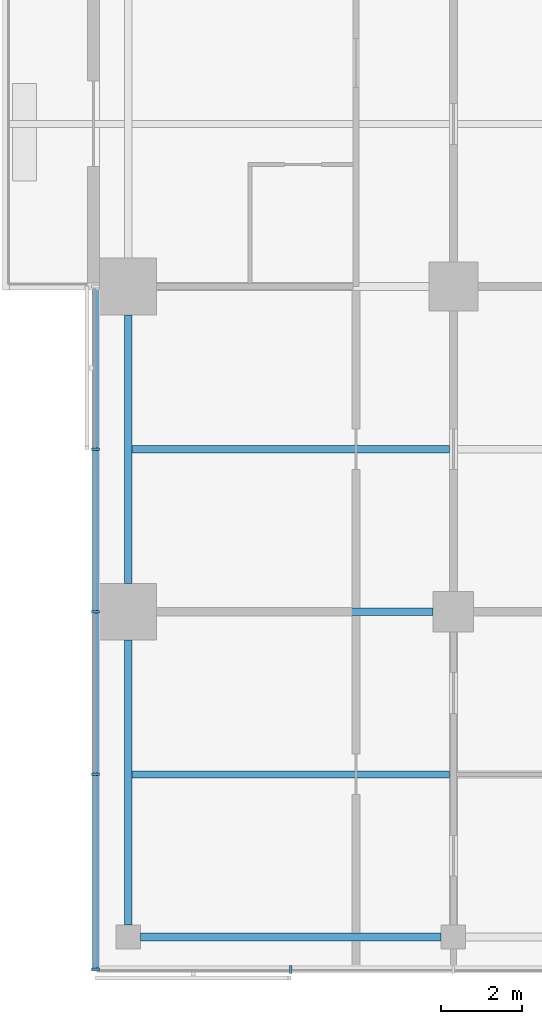
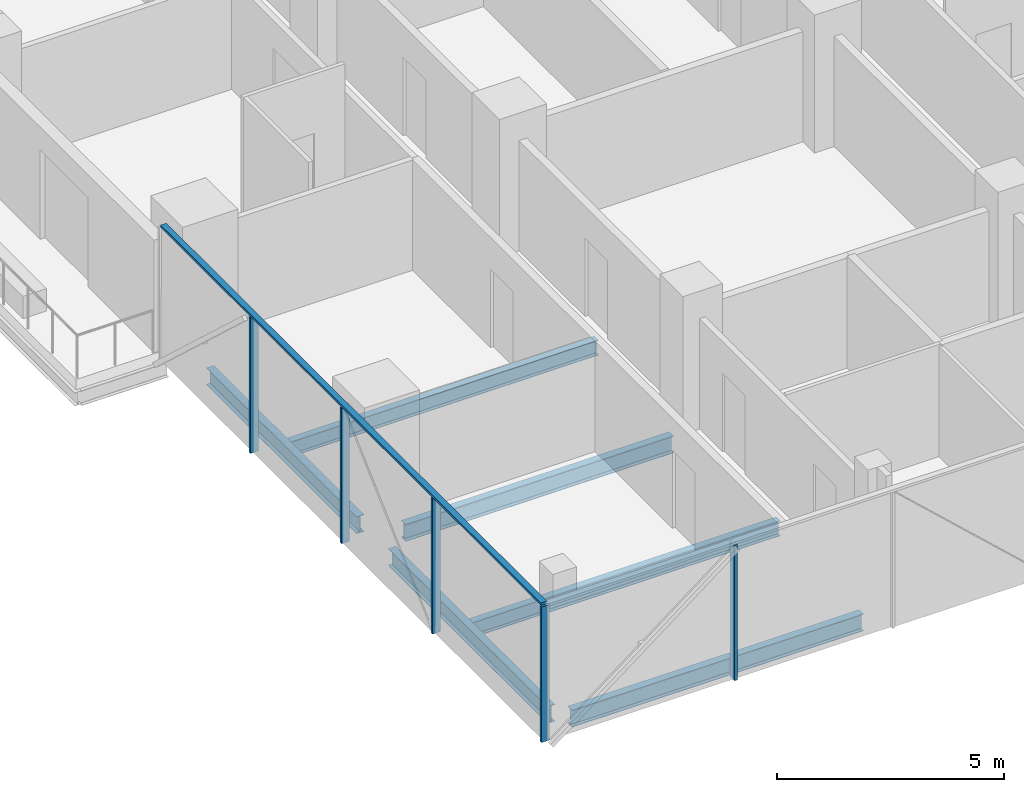
# One storey, part 2 of 27: 6 beams, 6 members, 2 elements without a shape of their own.
"""IFC4 building model written with IfcOpenShell, lengths in metres."""

from ifc_helpers import new_model, si_unit, direction, frame, origin, origin_2d, place, context, subcontext, project, spatial, rectangle, i_section, extrude, material, material_profile, profile_set, type_object, element, aggregate, save


model = new_model("IFC4")

# Units and contexts
model_context = context("Model", 3, precision=1e-05, world=origin(), true_north=direction((0.0, 1.0)))
body_context = subcontext(model_context, "Body", "Model", "MODEL_VIEW")
ifc_project = project(units=[si_unit("LENGTHUNIT", "METRE"), si_unit("AREAUNIT", "SQUARE_METRE"), si_unit("VOLUMEUNIT", "CUBIC_METRE"), si_unit("PLANEANGLEUNIT", "RADIAN"), si_unit("MASSUNIT", "GRAM", prefix="KILO")], contexts=[model_context])

# Site, building, storey
site_placement = place(None, origin())
site = spatial("IfcSite", under=ifc_project, at=site_placement, CompositionType="ELEMENT")
building_placement = place(site_placement, origin())
building = spatial("IfcBuilding", under=site, at=building_placement, Name="Crosswind Convention Tower", CompositionType="ELEMENT")
storey_placement = place(building_placement, frame((0.0, 0.0, 90.5)))
storey = spatial("IfcBuildingStorey", under=building, at=storey_placement, Name="L17", CompositionType="ELEMENT", Elevation=90.5)

# Beams
ifc_material_1 = material(Name="Steel S355", Category="steel")
ifc_material_profile_1 = material_profile(ifc_material_1, i_section(OverallWidth=0.1904296875, OverallDepth=0.457275390625, WebThickness=0.009033203125, FlangeThickness=0.014404296875, FilletRadius=0.01025390625, at=origin_2d()), Name="UB 457x191x75")
ifc_profile_set_1 = profile_set([ifc_material_profile_1], Name="Steel S355")
beam_type_1 = type_object("IfcBeamType", Name="Edge beam UB 457x191x75", PredefinedType="SPANDREL", material=ifc_profile_set_1)
beam_1_placement = place(storey_placement, frame((113.0, 64.300048828125, -0.508544921875), z_axis=(0.0, 1.0, 0.0), x_axis=(-1.0, 0.0, 0.0)))
element("IfcBeam", 1, at=beam_1_placement, inside=storey, type_object=beam_type_1, Name="B17 L17 edge beam 6", PredefinedType="SPANDREL", context=body_context, shape_type="SweptSolid", body=[
    extrude(i_section(OverallWidth=0.1904296875, OverallDepth=0.457275390625, WebThickness=0.009033203125, FlangeThickness=0.014404296875, FilletRadius=0.01025390625, at=origin_2d()), origin(), (0.0, 0.0, 1.0), 7.0),
])
beam_2_placement = place(storey_placement, frame((113.0, 72.699951171875, -0.508544921875), z_axis=(0.0, 1.0, 0.0), x_axis=(-1.0, 0.0, 0.0)))
element("IfcBeam", 2, at=beam_2_placement, inside=storey, type_object=beam_type_1, Name="B17 L17 edge beam 7", PredefinedType="SPANDREL", context=body_context, shape_type="SweptSolid", body=[
    extrude(i_section(OverallWidth=0.1904296875, OverallDepth=0.457275390625, WebThickness=0.009033203125, FlangeThickness=0.014404296875, FilletRadius=0.01025390625, at=origin_2d()), origin(), (0.0, 0.0, 1.0), 6.60009765625),
])
beam_3_placement = place(storey_placement, frame((113.300048828125, 64.0, -0.508544921875), z_axis=(1.0, 0.0, 0.0), x_axis=(0.0, 1.0, 0.0)))
element("IfcBeam", 3, at=beam_3_placement, inside=storey, type_object=beam_type_1, Name="B17 L17 edge beam 12", PredefinedType="SPANDREL", context=body_context, shape_type="SweptSolid", body=[
    extrude(i_section(OverallWidth=0.1904296875, OverallDepth=0.457275390625, WebThickness=0.009033203125, FlangeThickness=0.014404296875, FilletRadius=0.01025390625, at=origin_2d()), origin(), (0.0, 0.0, 1.0), 7.39990234375),
])
ifc_material_profile_2 = material_profile(ifc_material_1, i_section(OverallWidth=0.19140625, OverallDepth=0.460205078125, WebThickness=0.010009765625, FlangeThickness=0.01611328125, FilletRadius=0.01025390625, at=origin_2d()), Name="UB 457x191x82")
ifc_profile_set_2 = profile_set([ifc_material_profile_2], Name="Steel S355")
beam_type_2 = type_object("IfcBeamType", Name="Girder UB 457x191x82", PredefinedType="BEAM", material=ifc_profile_set_2)
beam_4_placement = place(storey_placement, frame((113.699951171875, 72.0, -0.510009765625), z_axis=(1.0, 0.0, 0.0), x_axis=(0.0, 1.0, 0.0)))
element("IfcBeam", 4, at=beam_4_placement, inside=storey, type_object=beam_type_2, Name="B3 L17 girder 1", PredefinedType="BEAM", context=body_context, shape_type="SweptSolid", body=[
    extrude(i_section(OverallWidth=0.19140625, OverallDepth=0.460205078125, WebThickness=0.010009765625, FlangeThickness=0.01611328125, FilletRadius=0.01025390625, at=origin_2d()), origin(), (0.0, 0.0, 1.0), 6.800048828125),
])

# Curtain wall, members
ifc_material_2 = material(Name="Aluminium unitised curtain wall", Category="aluminium")
curtain_wall_type = type_object("IfcCurtainWallType", Name="HOTEL UNITISED WALL 200", PredefinedType="USERDEFINED", material=ifc_material_2)
curtain_wall_1_placement = place(storey_placement, origin())
curtain_wall_1 = element("IfcCurtainWall", 5, at=curtain_wall_1_placement, inside=storey, type_object=curtain_wall_type, Name="CW2 L17 S-W 1", ObjectType="UNITISED", PredefinedType="USERDEFINED")
ifc_material_3 = material(Name="Aluminium mullion", Category="aluminium")
ifc_material_profile_3 = material_profile(ifc_material_3, rectangle(XDim=0.199951171875, YDim=0.06494140625, at=origin_2d()), Name="AL 200X65")
ifc_profile_set_3 = profile_set([ifc_material_profile_3], Name="Aluminium mullion")
member_type_1 = type_object("IfcMemberType", Name="MULLION 65X200", PredefinedType="MULLION", material=ifc_profile_set_3)
member_1_placement = place(storey_placement, frame((112.199951171875, 76.0, -0.280029296875), z_axis=(0.0, 0.0, 1.0), x_axis=(-1.0, 0.0, 0.0)))
member_1 = element("IfcMember", 6, at=member_1_placement, type_object=member_type_1, Name="CW2 mullion 2", PredefinedType="MULLION", context=body_context, shape_type="SweptSolid", body=[
    extrude(rectangle(XDim=0.199951171875, YDim=0.06494140625, at=origin_2d()), origin(), (0.0, 0.0, 1.0), 3.635009765625),
])
member_2_placement = place(storey_placement, frame((112.199951171875, 72.0, -0.280029296875), z_axis=(0.0, 0.0, 1.0), x_axis=(-1.0, 0.0, 0.0)))
member_2 = element("IfcMember", 7, at=member_2_placement, type_object=member_type_1, Name="CW2 mullion 3", PredefinedType="MULLION", context=body_context, shape_type="SweptSolid", body=[
    extrude(rectangle(XDim=0.199951171875, YDim=0.06494140625, at=origin_2d()), origin(), (0.0, 0.0, 1.0), 3.635009765625),
])
member_3_placement = place(storey_placement, frame((112.199951171875, 68.0, -0.280029296875), z_axis=(0.0, 0.0, 1.0), x_axis=(-1.0, 0.0, 0.0)))
member_3 = element("IfcMember", 8, at=member_3_placement, type_object=member_type_1, Name="CW2 mullion 4", PredefinedType="MULLION", context=body_context, shape_type="SweptSolid", body=[
    extrude(rectangle(XDim=0.199951171875, YDim=0.06494140625, at=origin_2d()), origin(), (0.0, 0.0, 1.0), 3.635009765625),
])
member_4_placement = place(storey_placement, frame((112.199951171875, 63.199951171875, -0.280029296875), z_axis=(0.0, 0.0, 1.0), x_axis=(-1.0, 0.0, 0.0)))
member_4 = element("IfcMember", 9, at=member_4_placement, type_object=member_type_1, Name="CW2 mullion 5", PredefinedType="MULLION", context=body_context, shape_type="SweptSolid", body=[
    extrude(rectangle(XDim=0.199951171875, YDim=0.06494140625, at=origin_2d()), origin(), (0.0, 0.0, 1.0), 3.635009765625),
])

# Curtain wall, member
curtain_wall_2_placement = place(storey_placement, origin())
curtain_wall_2 = element("IfcCurtainWall", 10, at=curtain_wall_2_placement, inside=storey, type_object=curtain_wall_type, Name="CW2 L17 S-TIP 1", ObjectType="UNITISED", PredefinedType="USERDEFINED")
member_5_placement = place(storey_placement, frame((117.0, 63.199951171875, -0.280029296875), z_axis=(0.0, 0.0, 1.0), x_axis=(0.0, -1.0, 0.0)))
member_5 = element("IfcMember", 11, at=member_5_placement, type_object=member_type_1, Name="CW2 mullion 2", PredefinedType="MULLION", context=body_context, shape_type="SweptSolid", body=[
    extrude(rectangle(XDim=0.199951171875, YDim=0.06494140625, at=origin_2d()), origin(), (0.0, 0.0, 1.0), 3.635009765625),
])
aggregate(curtain_wall_2, [member_5])

# Beams
ifc_material_profile_4 = material_profile(ifc_material_1, i_section(OverallWidth=0.177734375, OverallDepth=0.406494140625, WebThickness=0.0078125, FlangeThickness=0.0126953125, FilletRadius=0.01025390625, at=origin_2d()), Name="UB 406x178x60")
ifc_profile_set_4 = profile_set([ifc_material_profile_4], Name="Steel S355")
beam_type_3 = type_object("IfcBeamType", Name="Secondary beam UB 406x178x60", PredefinedType="JOIST", material=ifc_profile_set_4)
for number, where, z_axis, x_axis, name in (
    (12, (113.09521484375, 68.0, -0.483154296875), (1.0, 0.0, 0.0), (0.0, 1.0, 0.0), "B10 L17 secondary beam 7"),
    (13, (113.09521484375, 76.0, -0.483154296875), (1.0, 0.0, 0.0), (0.0, 1.0, 0.0), "B10 L17 secondary beam 8"),
):
    element("IfcBeam", number, at=place(storey_placement, frame(where, z_axis=z_axis, x_axis=x_axis)), inside=storey, type_object=beam_type_3, Name=name, PredefinedType="JOIST", context=body_context, shape_type="SweptSolid", body=[
        extrude(i_section(OverallWidth=0.177734375, OverallDepth=0.406494140625, WebThickness=0.0078125, FlangeThickness=0.0126953125, FilletRadius=0.01025390625, at=origin_2d()), origin(), (0.0, 0.0, 1.0), 7.80908203125),
    ])

# Member
ifc_material_4 = material(Name="Aluminium transom", Category="aluminium")
ifc_material_profile_5 = material_profile(ifc_material_4, rectangle(XDim=0.14990234375, YDim=0.06494140625, at=origin_2d()), Name="AL 150X65")
ifc_profile_set_5 = profile_set([ifc_material_profile_5], Name="Aluminium transom")
member_type_2 = type_object("IfcMemberType", Name="TRANSOM 65X150", PredefinedType="USERDEFINED", material=ifc_profile_set_5)
member_6_placement = place(storey_placement, frame((112.199951171875, 79.967529296875, 3.387451171875), z_axis=(0.0, -1.0, 0.0), x_axis=(1.0, 0.0, 0.0)))
member_6 = element("IfcMember", 14, at=member_6_placement, type_object=member_type_2, Name="CW2 transom", ObjectType="TRANSOM", PredefinedType="USERDEFINED", context=body_context, shape_type="SweptSolid", body=[
    extrude(rectangle(XDim=0.14990234375, YDim=0.06494140625, at=origin_2d()), origin(), (0.0, 0.0, 1.0), 16.735107421875),
])

aggregate(curtain_wall_1, [member_1, member_2, member_3, member_4, member_6])

save(model, "model.ifc")
